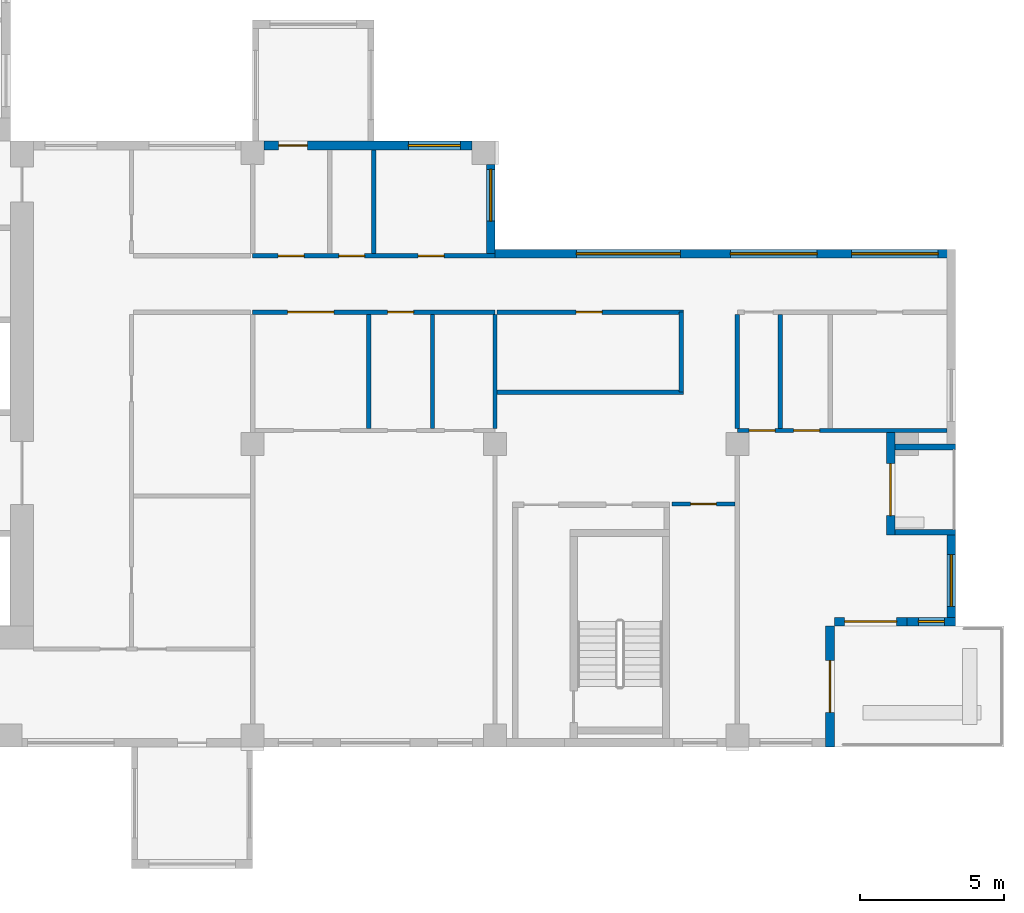
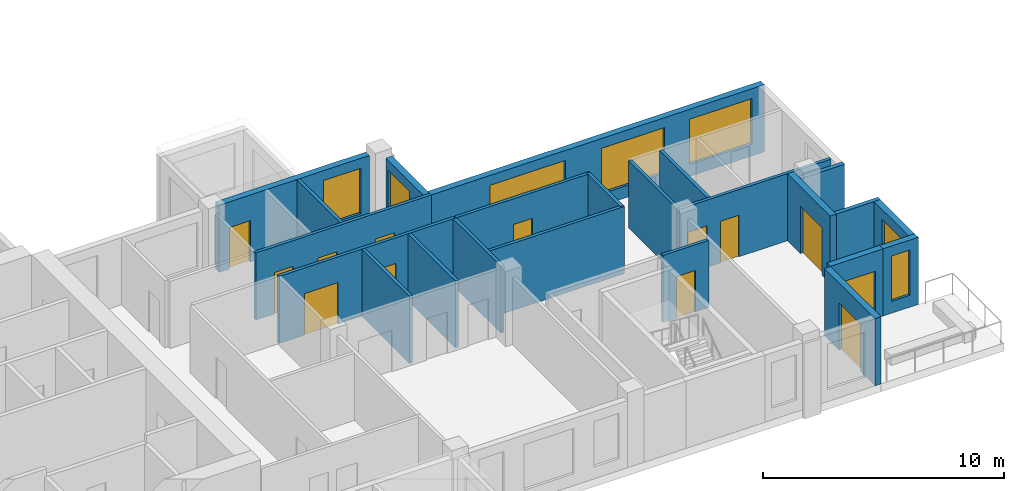
# One storey, part 5 of 12: 23 walls, 13 doors, 7 windows, 20 openings.
"""IFC4 building model written with IfcOpenShell, lengths in metres."""

from ifc_helpers import new_model, si_unit, direction, frame, frame_2d, origin, place, context, subcontext, project, spatial, rectangle, extrude, source, transform, mapped, material, layer, layer_set, type_object, element, fill, save


model = new_model("IFC4")

# Units and contexts
model_context = context("Model", 3, precision=1e-05, world=origin(), true_north=direction((0.0, 1.0)))
body_context = subcontext(model_context, "Body", "Model", "MODEL_VIEW")
ifc_project = project(units=[si_unit("LENGTHUNIT", "METRE"), si_unit("AREAUNIT", "SQUARE_METRE"), si_unit("VOLUMEUNIT", "CUBIC_METRE"), si_unit("PLANEANGLEUNIT", "RADIAN"), si_unit("MASSUNIT", "GRAM", prefix="KILO")], contexts=[model_context])

# Site, building, storey
site_placement = place(None, origin())
site = spatial("IfcSite", under=ifc_project, at=site_placement, CompositionType="ELEMENT")
building_placement = place(site_placement, origin())
building = spatial("IfcBuilding", under=site, at=building_placement, Name="Aurelian Terraces", CompositionType="ELEMENT")
storey_placement = place(building_placement, frame((0.0, 0.0, 234.8)))
storey = spatial("IfcBuildingStorey", under=building, at=storey_placement, Name="L53", CompositionType="ELEMENT", Elevation=234.8)

# Wall, opening, door
ifc_material_1 = material(Name="Terracotta rainscreen cladding", Category="masonry")
ifc_layer_1 = layer(ifc_material_1, 0.3)
ifc_layer_set_1 = layer_set([ifc_layer_1], Name="EW-300")
wall_type_1 = type_object("IfcWallType", Name="EW-300", PredefinedType="STANDARD", material=ifc_layer_set_1)
wall_1_placement = place(storey_placement, frame((51.51, 7.35, 0.0), z_axis=(0.0, 0.0, 1.0), x_axis=(0.0, 1.0, 0.0)))
wall_1 = element("IfcWall", 1, at=wall_1_placement, inside=storey, type_object=wall_type_1, Name="Loggia wall L53 F04.11", PredefinedType="STANDARD", context=body_context, shape_type="SweptSolid", body=[
    extrude(rectangle(XDim=3.55, YDim=0.3, at=frame_2d((1.775, 0.0))), origin(), (0.0, 0.0, 1.0), 3.4),
])
shared_shape_1 = source(origin(), body_context, "Body", "SweptSolid", [
    extrude(rectangle(XDim=1.8, YDim=2.4, at=frame_2d((0.9, 1.2))), frame((0.0, 0.16, 0.0), z_axis=(0.0, -1.0, 0.0), x_axis=(1.0, 0.0, 0.0)), (0.0, 0.0, 1.0), 0.32),
])
opening_1_placement = place(wall_1_placement, frame((0.675, 0.0, 0.0)))
opening_1 = element("IfcOpeningElement", 2, at=opening_1_placement, cuts=wall_1, Name="Opening 85303", PredefinedType="OPENING", context=body_context, shape_type="MappedRepresentation", body=[
    mapped(shared_shape_1, transform((0.0, 0.0, 0.0), scale=1.0)),
])
ifc_material_2 = material(Name="Clear glazing", Category="glass")
door_type_1 = type_object("IfcDoorType", Name="BD-1800x2400", OperationType="SLIDING_TO_LEFT", PredefinedType="DOOR", material=ifc_material_2)
shared_shape_2 = source(origin(), body_context, "Body", "SweptSolid", [
    extrude(rectangle(XDim=1.8, YDim=2.4, at=frame_2d((0.9, 1.2))), frame((0.0, 0.025, 0.0), z_axis=(0.0, -1.0, 0.0), x_axis=(1.0, 0.0, 0.0)), (0.0, 0.0, 1.0), 0.05),
])
door_1_placement = place(opening_1_placement, origin())
door_1 = element("IfcDoor", 3, at=door_1_placement, inside=storey, type_object=door_type_1, Name="Balcony door L53 F04.11", OperationType="SLIDING_TO_LEFT", OverallHeight=2.4, OverallWidth=1.8, PredefinedType="DOOR", context=body_context, shape_type="MappedRepresentation", body=[
    mapped(shared_shape_2, transform((0.0, 0.0, 0.0), scale=1.0)),
])
fill(opening_1, door_1)

shared_shape_3 = source(origin(), body_context, "Body", "SweptSolid", [
    extrude(rectangle(XDim=4.2, YDim=0.3, at=frame_2d((2.1, 0.0))), origin(), (0.0, 0.0, 1.0), 3.4),
])
wall_2_placement = place(storey_placement, frame((49.41, 0.0, 0.0), z_axis=(0.0, 0.0, 1.0), x_axis=(0.0, 1.0, 0.0)))
wall_2 = element("IfcWall", 4, at=wall_2_placement, inside=storey, type_object=wall_type_1, Name="External wall L53 F02.7", PredefinedType="STANDARD", context=body_context, shape_type="MappedRepresentation", body=[
    mapped(shared_shape_3, transform((0.0, 0.0, 0.0), scale=1.0)),
])
opening_2_placement = place(wall_2_placement, frame((1.2, 0.0, 0.0)))
opening_2 = element("IfcOpeningElement", 5, at=opening_2_placement, cuts=wall_2, Name="Opening 85301", PredefinedType="OPENING", context=body_context, shape_type="MappedRepresentation", body=[
    mapped(shared_shape_1, transform((0.0, 0.0, 0.0), scale=1.0)),
])
door_2_placement = place(opening_2_placement, origin())
door_2 = element("IfcDoor", 6, at=door_2_placement, inside=storey, type_object=door_type_1, Name="Terrace door L53 L53-F02-07.1", OperationType="SLIDING_TO_LEFT", OverallHeight=2.4, OverallWidth=1.8, PredefinedType="DOOR", context=body_context, shape_type="MappedRepresentation", body=[
    mapped(shared_shape_2, transform((0.0, 0.0, 0.0), scale=1.0)),
])
fill(opening_2, door_2)

shared_shape_4 = source(origin(), body_context, "Body", "SweptSolid", [
    extrude(rectangle(XDim=2.52, YDim=0.3, at=frame_2d((1.26, 0.0))), origin(), (0.0, 0.0, 1.0), 3.4),
])
wall_3_placement = place(storey_placement, frame((49.56, 4.35, 0.0), z_axis=(0.0, 0.0, 1.0), x_axis=(1.0, 0.0, 0.0)))
wall_3 = element("IfcWall", 7, at=wall_3_placement, inside=storey, type_object=wall_type_1, Name="External wall L53 F03.8", PredefinedType="STANDARD", context=body_context, shape_type="MappedRepresentation", body=[
    mapped(shared_shape_4, transform((0.0, 0.0, 0.0), scale=1.0)),
])
opening_3_placement = place(wall_3_placement, frame((0.36, 0.0, 0.0)))
opening_3 = element("IfcOpeningElement", 8, at=opening_3_placement, cuts=wall_3, Name="Opening 85302", PredefinedType="OPENING", context=body_context, shape_type="MappedRepresentation", body=[
    mapped(shared_shape_1, transform((0.0, 0.0, 0.0), scale=1.0)),
])
door_3_placement = place(opening_3_placement, origin())
door_3 = element("IfcDoor", 9, at=door_3_placement, inside=storey, type_object=door_type_1, Name="Terrace door L53 L53-F03-08.1", OperationType="SLIDING_TO_LEFT", OverallHeight=2.4, OverallWidth=1.8, PredefinedType="DOOR", context=body_context, shape_type="MappedRepresentation", body=[
    mapped(shared_shape_2, transform((0.0, 0.0, 0.0), scale=1.0)),
])
fill(opening_3, door_3)

# Wall, opening, window
shared_shape_5 = source(origin(), body_context, "Body", "SweptSolid", [
    extrude(rectangle(XDim=1.68, YDim=0.3, at=frame_2d((0.84, 0.0))), origin(), (0.0, 0.0, 1.0), 3.4),
])
wall_4_placement = place(storey_placement, frame((52.08, 4.35, 0.0), z_axis=(0.0, 0.0, 1.0), x_axis=(1.0, 0.0, 0.0)))
wall_4 = element("IfcWall", 10, at=wall_4_placement, inside=storey, type_object=wall_type_1, Name="External wall L53 F03.9", PredefinedType="STANDARD", context=body_context, shape_type="MappedRepresentation", body=[
    mapped(shared_shape_5, transform((0.0, 0.0, 0.0), scale=1.0)),
])
shared_shape_6 = source(origin(), body_context, "Body", "SweptSolid", [
    extrude(rectangle(XDim=0.9, YDim=2.3, at=frame_2d((0.45, 1.15))), frame((0.0, 0.16, 0.0), z_axis=(0.0, -1.0, 0.0), x_axis=(1.0, 0.0, 0.0)), (0.0, 0.0, 1.0), 0.32),
])
opening_4_placement = place(wall_4_placement, frame((0.39, 0.0, 0.6)))
opening_4 = element("IfcOpeningElement", 11, at=opening_4_placement, cuts=wall_4, Name="Opening W0923", PredefinedType="OPENING", context=body_context, shape_type="MappedRepresentation", body=[
    mapped(shared_shape_6, transform((0.0, 0.0, 0.0), scale=1.0)),
])
window_type_1 = type_object("IfcWindowType", Name="W-900x2300", PartitioningType="SINGLE_PANEL", PredefinedType="WINDOW", material=ifc_material_2)
shared_shape_7 = source(origin(), body_context, "Body", "SweptSolid", [
    extrude(rectangle(XDim=0.9, YDim=2.3, at=frame_2d((0.45, 1.15))), frame((0.0, 0.03, 0.0), z_axis=(0.0, -1.0, 0.0), x_axis=(1.0, 0.0, 0.0)), (0.0, 0.0, 1.0), 0.06),
])
window_1_placement = place(opening_4_placement, origin())
window_1 = element("IfcWindow", 12, at=window_1_placement, inside=storey, type_object=window_type_1, Name="Window L53 L53-F03-09-P0", OverallHeight=2.3, OverallWidth=0.9, PartitioningType="SINGLE_PANEL", PredefinedType="WINDOW", context=body_context, shape_type="MappedRepresentation", body=[
    mapped(shared_shape_7, transform((0.0, 0.0, 0.0), scale=1.0)),
])
fill(opening_4, window_1)

shared_shape_8 = source(origin(), body_context, "Body", "SweptSolid", [
    extrude(rectangle(XDim=3.15, YDim=0.3, at=frame_2d((1.575, 0.0))), origin(), (0.0, 0.0, 1.0), 3.4),
])
wall_5_placement = place(storey_placement, frame((53.61, 4.2, 0.0), z_axis=(0.0, 0.0, 1.0), x_axis=(0.0, 1.0, 0.0)))
wall_5 = element("IfcWall", 13, at=wall_5_placement, inside=storey, type_object=wall_type_1, Name="External wall L53 F04.10", PredefinedType="STANDARD", context=body_context, shape_type="MappedRepresentation", body=[
    mapped(shared_shape_8, transform((0.0, 0.0, 0.0), scale=1.0)),
])
shared_shape_9 = source(origin(), body_context, "Body", "SweptSolid", [
    extrude(rectangle(XDim=1.8, YDim=2.3, at=frame_2d((0.9, 1.15))), frame((0.0, 0.16, 0.0), z_axis=(0.0, -1.0, 0.0), x_axis=(1.0, 0.0, 0.0)), (0.0, 0.0, 1.0), 0.32),
])
opening_5_placement = place(wall_5_placement, frame((0.675, 0.0, 0.6)))
opening_5 = element("IfcOpeningElement", 14, at=opening_5_placement, cuts=wall_5, Name="Opening W1823", PredefinedType="OPENING", context=body_context, shape_type="MappedRepresentation", body=[
    mapped(shared_shape_9, transform((0.0, 0.0, 0.0), scale=1.0)),
])
window_type_2 = type_object("IfcWindowType", Name="W-1800x2300", PartitioningType="SINGLE_PANEL", PredefinedType="WINDOW", material=ifc_material_2)
shared_shape_10 = source(origin(), body_context, "Body", "SweptSolid", [
    extrude(rectangle(XDim=1.8, YDim=2.3, at=frame_2d((0.9, 1.15))), frame((0.0, 0.03, 0.0), z_axis=(0.0, -1.0, 0.0), x_axis=(1.0, 0.0, 0.0)), (0.0, 0.0, 1.0), 0.06),
])
window_2_placement = place(opening_5_placement, origin())
window_2 = element("IfcWindow", 15, at=window_2_placement, inside=storey, type_object=window_type_2, Name="Window L53 L53-F04-10-0", OverallHeight=2.3, OverallWidth=1.8, PartitioningType="SINGLE_PANEL", PredefinedType="WINDOW", context=body_context, shape_type="MappedRepresentation", body=[
    mapped(shared_shape_10, transform((0.0, 0.0, 0.0), scale=1.0)),
])
fill(opening_5, window_2)

# Walls
ifc_layer_2 = layer(ifc_material_1, 0.2)
ifc_layer_set_2 = layer_set([ifc_layer_2], Name="EW-200")
wall_type_2 = type_object("IfcWallType", Name="EW-200", PredefinedType="STANDARD", material=ifc_layer_set_2)
shared_shape_11 = source(origin(), body_context, "Body", "SweptSolid", [
    extrude(rectangle(XDim=2.1, YDim=0.2, at=frame_2d((1.05, 0.0))), origin(), (0.0, 0.0, 1.0), 3.4),
])
for number, where, z_axis, x_axis, name in (
    (16, (53.76, 7.45, 0.0), (0.0, 0.0, 1.0), (-1.0, 0.0, 0.0), "Loggia return L53 F04.11.1"),
    (17, (53.76, 10.4, 0.0), (0.0, 0.0, 1.0), (-1.0, 0.0, 0.0), "Loggia return L53 F04.11.2"),
):
    element("IfcWall", number, at=place(storey_placement, frame(where, z_axis=z_axis, x_axis=x_axis)), inside=storey, type_object=wall_type_2, Name=name, PredefinedType="STANDARD", context=body_context, shape_type="MappedRepresentation", body=[
        mapped(shared_shape_11, transform((0.0, 0.0, 0.0), scale=1.0)),
    ])

# Wall, openings, windows
shared_shape_12 = source(origin(), body_context, "Body", "SweptSolid", [
    extrude(rectangle(XDim=15.96, YDim=0.3, at=frame_2d((7.98, 0.0))), origin(), (0.0, 0.0, 1.0), 3.4),
])
wall_6_placement = place(storey_placement, frame((53.76, 17.1, 0.0), z_axis=(0.0, 0.0, 1.0), x_axis=(-1.0, 0.0, 0.0)))
wall_6 = element("IfcWall", 18, at=wall_6_placement, inside=storey, type_object=wall_type_1, Name="External wall L53 F05.13", PredefinedType="STANDARD", context=body_context, shape_type="MappedRepresentation", body=[
    mapped(shared_shape_12, transform((0.0, 0.0, 0.0), scale=1.0)),
])
shared_shape_13 = source(origin(), body_context, "Body", "SweptSolid", [
    extrude(rectangle(XDim=3.0, YDim=2.3, at=frame_2d((1.5, 1.15))), frame((0.0, 0.16, 0.0), z_axis=(0.0, -1.0, 0.0), x_axis=(1.0, 0.0, 0.0)), (0.0, 0.0, 1.0), 0.32),
])
opening_6_placement = place(wall_6_placement, frame((0.6, 0.0, 0.6)))
opening_6 = element("IfcOpeningElement", 19, at=opening_6_placement, cuts=wall_6, Name="Opening W3023", PredefinedType="OPENING", context=body_context, shape_type="MappedRepresentation", body=[
    mapped(shared_shape_13, transform((0.0, 0.0, 0.0), scale=1.0)),
])
opening_7_placement = place(wall_6_placement, frame((4.8, 0.0, 0.6)))
opening_7 = element("IfcOpeningElement", 20, at=opening_7_placement, cuts=wall_6, Name="Opening W3023", PredefinedType="OPENING", context=body_context, shape_type="MappedRepresentation", body=[
    mapped(shared_shape_13, transform((0.0, 0.0, 0.0), scale=1.0)),
])
shared_shape_14 = source(origin(), body_context, "Body", "SweptSolid", [
    extrude(rectangle(XDim=3.6, YDim=2.3, at=frame_2d((1.8, 1.15))), frame((0.0, 0.16, 0.0), z_axis=(0.0, -1.0, 0.0), x_axis=(1.0, 0.0, 0.0)), (0.0, 0.0, 1.0), 0.32),
])
opening_8_placement = place(wall_6_placement, frame((9.54, 0.0, 0.6)))
opening_8 = element("IfcOpeningElement", 21, at=opening_8_placement, cuts=wall_6, Name="Opening W3623", PredefinedType="OPENING", context=body_context, shape_type="MappedRepresentation", body=[
    mapped(shared_shape_14, transform((0.0, 0.0, 0.0), scale=1.0)),
])
window_type_3 = type_object("IfcWindowType", Name="W-3600x2300", PartitioningType="SINGLE_PANEL", PredefinedType="WINDOW", material=ifc_material_2)
shared_shape_15 = source(origin(), body_context, "Body", "SweptSolid", [
    extrude(rectangle(XDim=3.6, YDim=2.3, at=frame_2d((1.8, 1.15))), frame((0.0, 0.03, 0.0), z_axis=(0.0, -1.0, 0.0), x_axis=(1.0, 0.0, 0.0)), (0.0, 0.0, 1.0), 0.06),
])
window_3_placement = place(opening_8_placement, origin())
window_3 = element("IfcWindow", 22, at=window_3_placement, inside=storey, type_object=window_type_3, Name="Window L53 L53-F05-13-2", OverallHeight=2.3, OverallWidth=3.6, PartitioningType="SINGLE_PANEL", PredefinedType="WINDOW", context=body_context, shape_type="MappedRepresentation", body=[
    mapped(shared_shape_15, transform((0.0, 0.0, 0.0), scale=1.0)),
])
fill(opening_8, window_3)
window_type_4 = type_object("IfcWindowType", Name="W-3000x2300", PartitioningType="SINGLE_PANEL", PredefinedType="WINDOW", material=ifc_material_2)
shared_shape_16 = source(origin(), body_context, "Body", "SweptSolid", [
    extrude(rectangle(XDim=3.0, YDim=2.3, at=frame_2d((1.5, 1.15))), frame((0.0, 0.03, 0.0), z_axis=(0.0, -1.0, 0.0), x_axis=(1.0, 0.0, 0.0)), (0.0, 0.0, 1.0), 0.06),
])
window_4_placement = place(opening_6_placement, origin())
window_4 = element("IfcWindow", 23, at=window_4_placement, inside=storey, type_object=window_type_4, Name="Window L53 L53-F05-13-0", OverallHeight=2.3, OverallWidth=3.0, PartitioningType="SINGLE_PANEL", PredefinedType="WINDOW", context=body_context, shape_type="MappedRepresentation", body=[
    mapped(shared_shape_16, transform((0.0, 0.0, 0.0), scale=1.0)),
])
fill(opening_6, window_4)
window_5_placement = place(opening_7_placement, origin())
window_5 = element("IfcWindow", 24, at=window_5_placement, inside=storey, type_object=window_type_4, Name="Window L53 L53-F05-13-1", OverallHeight=2.3, OverallWidth=3.0, PartitioningType="SINGLE_PANEL", PredefinedType="WINDOW", context=body_context, shape_type="MappedRepresentation", body=[
    mapped(shared_shape_16, transform((0.0, 0.0, 0.0), scale=1.0)),
])
fill(opening_7, window_5)

# Wall, openings, window, door
shared_shape_17 = source(origin(), body_context, "Body", "SweptSolid", [
    extrude(rectangle(XDim=7.2, YDim=0.3, at=frame_2d((3.6, 0.0))), origin(), (0.0, 0.0, 1.0), 3.4),
])
wall_7_placement = place(storey_placement, frame((37.0, 20.85, 0.0), z_axis=(0.0, 0.0, 1.0), x_axis=(-1.0, 0.0, 0.0)))
wall_7 = element("IfcWall", 25, at=wall_7_placement, inside=storey, type_object=wall_type_1, Name="External wall L53 F07.15", PredefinedType="STANDARD", context=body_context, shape_type="MappedRepresentation", body=[
    mapped(shared_shape_17, transform((0.0, 0.0, 0.0), scale=1.0)),
])
opening_9_placement = place(wall_7_placement, frame((0.4, 0.0, 0.6)))
opening_9 = element("IfcOpeningElement", 26, at=opening_9_placement, cuts=wall_7, Name="Opening W1823", PredefinedType="OPENING", context=body_context, shape_type="MappedRepresentation", body=[
    mapped(shared_shape_9, transform((0.0, 0.0, 0.0), scale=1.0)),
])
shared_shape_18 = source(origin(), body_context, "Body", "SweptSolid", [
    extrude(rectangle(XDim=1.0, YDim=2.1, at=frame_2d((0.5, 1.05))), frame((0.0, 0.16, 0.0), z_axis=(0.0, -1.0, 0.0), x_axis=(1.0, 0.0, 0.0)), (0.0, 0.0, 1.0), 0.32),
])
opening_10_placement = place(wall_7_placement, frame((5.7, 0.0, 0.0)))
opening_10 = element("IfcOpeningElement", 27, at=opening_10_placement, cuts=wall_7, Name="Opening 853003", PredefinedType="OPENING", context=body_context, shape_type="MappedRepresentation", body=[
    mapped(shared_shape_18, transform((0.0, 0.0, 0.0), scale=1.0)),
])
window_6_placement = place(opening_9_placement, origin())
window_6 = element("IfcWindow", 28, at=window_6_placement, inside=storey, type_object=window_type_2, Name="Window L53 L53-F07-15-0", OverallHeight=2.3, OverallWidth=1.8, PartitioningType="SINGLE_PANEL", PredefinedType="WINDOW", context=body_context, shape_type="MappedRepresentation", body=[
    mapped(shared_shape_10, transform((0.0, 0.0, 0.0), scale=1.0)),
])
fill(opening_9, window_6)
ifc_material_3 = material(Name="Timber door leaf", Category="wood")
door_type_2 = type_object("IfcDoorType", Name="Room door 1000x2100 left", OperationType="SINGLE_SWING_LEFT", PredefinedType="DOOR", material=ifc_material_3)
shared_shape_19 = source(origin(), body_context, "Body", "SweptSolid", [
    extrude(rectangle(XDim=1.0, YDim=2.1, at=frame_2d((0.5, 1.05))), frame((0.0, 0.025, 0.0), z_axis=(0.0, -1.0, 0.0), x_axis=(1.0, 0.0, 0.0)), (0.0, 0.0, 1.0), 0.05),
])
door_4_placement = place(opening_10_placement, origin())
door_4 = element("IfcDoor", 29, at=door_4_placement, inside=storey, type_object=door_type_2, Name="Door 853003", OperationType="SINGLE_SWING_LEFT", OverallHeight=2.1, OverallWidth=1.0, PredefinedType="DOOR", context=body_context, shape_type="MappedRepresentation", body=[
    mapped(shared_shape_19, transform((0.0, 0.0, 0.0), scale=1.0)),
])
fill(opening_10, door_4)

# Wall, opening, window
shared_shape_20 = source(origin(), body_context, "Body", "SweptSolid", [
    extrude(rectangle(XDim=3.1, YDim=0.3, at=frame_2d((1.55, 0.0))), origin(), (0.0, 0.0, 1.0), 3.4),
])
wall_8_placement = place(storey_placement, frame((37.65, 17.1, 0.0), z_axis=(0.0, 0.0, 1.0), x_axis=(0.0, 1.0, 0.0)))
wall_8 = element("IfcWall", 30, at=wall_8_placement, inside=storey, type_object=wall_type_1, Name="External wall L53 F06.14", PredefinedType="STANDARD", context=body_context, shape_type="MappedRepresentation", body=[
    mapped(shared_shape_20, transform((0.0, 0.0, 0.0), scale=1.0)),
])
opening_11_placement = place(wall_8_placement, frame((1.125, 0.0, 0.6)))
opening_11 = element("IfcOpeningElement", 31, at=opening_11_placement, cuts=wall_8, Name="Opening W1823", PredefinedType="OPENING", context=body_context, shape_type="MappedRepresentation", body=[
    mapped(shared_shape_9, transform((0.0, 0.0, 0.0), scale=1.0)),
])
window_7_placement = place(opening_11_placement, origin())
window_7 = element("IfcWindow", 32, at=window_7_placement, inside=storey, type_object=window_type_2, Name="Window L53 L53-F06-14-0", OverallHeight=2.3, OverallWidth=1.8, PartitioningType="SINGLE_PANEL", PredefinedType="WINDOW", context=body_context, shape_type="MappedRepresentation", body=[
    mapped(shared_shape_10, transform((0.0, 0.0, 0.0), scale=1.0)),
])
fill(opening_11, window_7)

# Wall
ifc_material_4 = material(Name="Gypsum board on steel studs", Category="steel")
ifc_layer_3 = layer(ifc_material_4, 0.15)
ifc_layer_set_3 = layer_set([ifc_layer_3], Name="Partition 150")
wall_type_3 = type_object("IfcWallType", Name="Partition 150", PredefinedType="PARTITIONING", material=ifc_layer_set_3)
shared_shape_21 = source(origin(), body_context, "Body", "SweptSolid", [
    extrude(rectangle(XDim=6.45, YDim=0.15, at=frame_2d((3.225, 0.0))), origin(), (0.0, 0.0, 1.0), 3.4),
])
wall_9_placement = place(storey_placement, frame((37.875, 12.3, 0.0), z_axis=(0.0, 0.0, 1.0), x_axis=(1.0, 0.0, 0.0)))
element("IfcWall", 33, at=wall_9_placement, inside=storey, type_object=wall_type_3, Name="Partition", PredefinedType="PARTITIONING", context=body_context, shape_type="MappedRepresentation", body=[
    mapped(shared_shape_21, transform((0.0, 0.0, 0.0), scale=1.0)),
])

# Wall, opening, door
ifc_layer_4 = layer(ifc_material_4, 0.15)
ifc_layer_set_4 = layer_set([ifc_layer_4], Name="Fire partition 150")
wall_type_4 = type_object("IfcWallType", Name="Fire partition 150", PredefinedType="PARTITIONING", material=ifc_layer_set_4)
wall_10_placement = place(storey_placement, frame((44.325, 15.075, 0.0), z_axis=(0.0, 0.0, 1.0), x_axis=(-1.0, 0.0, 0.0)))
wall_10 = element("IfcWall", 34, at=wall_10_placement, inside=storey, type_object=wall_type_4, Name="Corridor wall", PredefinedType="PARTITIONING", context=body_context, shape_type="MappedRepresentation", body=[
    mapped(shared_shape_21, transform((0.0, 0.0, 0.0), scale=1.0)),
])
shared_shape_22 = source(origin(), body_context, "Body", "SweptSolid", [
    extrude(rectangle(XDim=0.9, YDim=2.1, at=frame_2d((0.45, 1.05))), frame((0.0, 0.085, 0.0), z_axis=(0.0, -1.0, 0.0), x_axis=(1.0, 0.0, 0.0)), (0.0, 0.0, 1.0), 0.17),
])
opening_12_placement = place(wall_10_placement, frame((2.8125, 0.0, 0.0)))
opening_12 = element("IfcOpeningElement", 35, at=opening_12_placement, cuts=wall_10, Name="Opening 753005", PredefinedType="OPENING", context=body_context, shape_type="MappedRepresentation", body=[
    mapped(shared_shape_22, transform((0.0, 0.0, 0.0), scale=1.0)),
])
door_type_3 = type_object("IfcDoorType", Name="Room door 900x2100 right", OperationType="SINGLE_SWING_RIGHT", PredefinedType="DOOR", material=ifc_material_3)
shared_shape_23 = source(origin(), body_context, "Body", "SweptSolid", [
    extrude(rectangle(XDim=0.9, YDim=2.1, at=frame_2d((0.45, 1.05))), frame((0.0, 0.025, 0.0), z_axis=(0.0, -1.0, 0.0), x_axis=(1.0, 0.0, 0.0)), (0.0, 0.0, 1.0), 0.05),
])
door_5_placement = place(opening_12_placement, origin())
door_5 = element("IfcDoor", 36, at=door_5_placement, inside=storey, type_object=door_type_3, Name="Door 753005", OperationType="SINGLE_SWING_RIGHT", OverallHeight=2.1, OverallWidth=0.9, PredefinedType="DOOR", context=body_context, shape_type="MappedRepresentation", body=[
    mapped(shared_shape_23, transform((0.0, 0.0, 0.0), scale=1.0)),
])
fill(opening_12, door_5)

# Wall
shared_shape_24 = source(origin(), body_context, "Body", "SweptSolid", [
    extrude(rectangle(XDim=3.6, YDim=0.15, at=frame_2d((1.8, 0.0))), origin(), (0.0, 0.0, 1.0), 3.4),
])
wall_11_placement = place(storey_placement, frame((33.6, 17.1, 0.0), z_axis=(0.0, 0.0, 1.0), x_axis=(0.0, 1.0, 0.0)))
element("IfcWall", 37, at=wall_11_placement, inside=storey, type_object=wall_type_4, Name="Party wall", PredefinedType="PARTITIONING", context=body_context, shape_type="MappedRepresentation", body=[
    mapped(shared_shape_24, transform((0.0, 0.0, 0.0), scale=1.0)),
])

# Wall, openings, doors
shared_shape_25 = source(origin(), body_context, "Body", "SweptSolid", [
    extrude(rectangle(XDim=8.4, YDim=0.15, at=frame_2d((4.2, 0.0))), origin(), (0.0, 0.0, 1.0), 3.4),
])
wall_12_placement = place(storey_placement, frame((37.8, 15.075, 0.0), z_axis=(0.0, 0.0, 1.0), x_axis=(-1.0, 0.0, 0.0)))
wall_12 = element("IfcWall", 38, at=wall_12_placement, inside=storey, type_object=wall_type_4, Name="Corridor wall", PredefinedType="PARTITIONING", context=body_context, shape_type="MappedRepresentation", body=[
    mapped(shared_shape_25, transform((0.0, 0.0, 0.0), scale=1.0)),
])
shared_shape_26 = source(origin(), body_context, "Body", "SweptSolid", [
    extrude(rectangle(XDim=1.6, YDim=2.1, at=frame_2d((0.8, 1.05))), frame((0.0, 0.085, 0.0), z_axis=(0.0, -1.0, 0.0), x_axis=(1.0, 0.0, 0.0)), (0.0, 0.0, 1.0), 0.17),
])
opening_13_placement = place(wall_12_placement, frame((5.5888, 0.0, 0.0)))
opening_13 = element("IfcOpeningElement", 39, at=opening_13_placement, cuts=wall_12, Name="Opening 753007", PredefinedType="OPENING", context=body_context, shape_type="MappedRepresentation", body=[
    mapped(shared_shape_26, transform((0.0, 0.0, 0.0), scale=1.0)),
])
opening_14_placement = place(wall_12_placement, frame((2.8224, 0.0, 0.0)))
opening_14 = element("IfcOpeningElement", 40, at=opening_14_placement, cuts=wall_12, Name="Opening 753011", PredefinedType="OPENING", context=body_context, shape_type="MappedRepresentation", body=[
    mapped(shared_shape_22, transform((0.0, 0.0, 0.0), scale=1.0)),
])
ifc_material_5 = material(Name="Steel door leaf", Category="steel")
door_type_4 = type_object("IfcDoorType", Name="Entrance fire door 900x2100 left", OperationType="SINGLE_SWING_LEFT", PredefinedType="DOOR", material=ifc_material_5)
door_6_placement = place(opening_14_placement, origin())
door_6 = element("IfcDoor", 41, at=door_6_placement, inside=storey, type_object=door_type_4, Name="Door 753011", OperationType="SINGLE_SWING_LEFT", OverallHeight=2.1, OverallWidth=0.9, PredefinedType="DOOR", context=body_context, shape_type="MappedRepresentation", body=[
    mapped(shared_shape_23, transform((0.0, 0.0, 0.0), scale=1.0)),
])
fill(opening_14, door_6)
door_type_5 = type_object("IfcDoorType", Name="Entrance fire door 1600x2100 left", OperationType="SINGLE_SWING_LEFT", PredefinedType="DOOR", material=ifc_material_5)
shared_shape_27 = source(origin(), body_context, "Body", "SweptSolid", [
    extrude(rectangle(XDim=1.6, YDim=2.1, at=frame_2d((0.8, 1.05))), frame((0.0, 0.025, 0.0), z_axis=(0.0, -1.0, 0.0), x_axis=(1.0, 0.0, 0.0)), (0.0, 0.0, 1.0), 0.05),
])
door_7_placement = place(opening_13_placement, origin())
door_7 = element("IfcDoor", 42, at=door_7_placement, inside=storey, type_object=door_type_5, Name="Door 753007", OperationType="SINGLE_SWING_LEFT", OverallHeight=2.1, OverallWidth=1.6, PredefinedType="DOOR", context=body_context, shape_type="MappedRepresentation", body=[
    mapped(shared_shape_27, transform((0.0, 0.0, 0.0), scale=1.0)),
])
fill(opening_13, door_7)

wall_13_placement = place(storey_placement, frame((29.4, 17.025, 0.0), z_axis=(0.0, 0.0, 1.0), x_axis=(1.0, 0.0, 0.0)))
wall_13 = element("IfcWall", 43, at=wall_13_placement, inside=storey, type_object=wall_type_4, Name="Corridor wall", PredefinedType="PARTITIONING", context=body_context, shape_type="MappedRepresentation", body=[
    mapped(shared_shape_25, transform((0.0, 0.0, 0.0), scale=1.0)),
])
opening_15_placement = place(wall_13_placement, frame((0.8835, 0.0, 0.0)))
opening_15 = element("IfcOpeningElement", 44, at=opening_15_placement, cuts=wall_13, Name="Opening 753016", PredefinedType="OPENING", context=body_context, shape_type="MappedRepresentation", body=[
    mapped(shared_shape_22, transform((0.0, 0.0, 0.0), scale=1.0)),
])
opening_16_placement = place(wall_13_placement, frame((2.9835, 0.0, 0.0)))
opening_16 = element("IfcOpeningElement", 45, at=opening_16_placement, cuts=wall_13, Name="Opening 753017", PredefinedType="OPENING", context=body_context, shape_type="MappedRepresentation", body=[
    mapped(shared_shape_22, transform((0.0, 0.0, 0.0), scale=1.0)),
])
opening_17_placement = place(wall_13_placement, frame((5.7375, 0.0, 0.0)))
opening_17 = element("IfcOpeningElement", 46, at=opening_17_placement, cuts=wall_13, Name="Opening 753031", PredefinedType="OPENING", context=body_context, shape_type="MappedRepresentation", body=[
    mapped(shared_shape_22, transform((0.0, 0.0, 0.0), scale=1.0)),
])
door_8_placement = place(opening_15_placement, origin())
door_8 = element("IfcDoor", 47, at=door_8_placement, inside=storey, type_object=door_type_4, Name="Door 753016", OperationType="SINGLE_SWING_LEFT", OverallHeight=2.1, OverallWidth=0.9, PredefinedType="DOOR", context=body_context, shape_type="MappedRepresentation", body=[
    mapped(shared_shape_23, transform((0.0, 0.0, 0.0), scale=1.0)),
])
fill(opening_15, door_8)
door_type_6 = type_object("IfcDoorType", Name="Entrance fire door 900x2100 right", OperationType="SINGLE_SWING_RIGHT", PredefinedType="DOOR", material=ifc_material_5)
door_9_placement = place(opening_16_placement, origin())
door_9 = element("IfcDoor", 48, at=door_9_placement, inside=storey, type_object=door_type_6, Name="Door 753017", OperationType="SINGLE_SWING_RIGHT", OverallHeight=2.1, OverallWidth=0.9, PredefinedType="DOOR", context=body_context, shape_type="MappedRepresentation", body=[
    mapped(shared_shape_23, transform((0.0, 0.0, 0.0), scale=1.0)),
])
fill(opening_16, door_9)
door_type_7 = type_object("IfcDoorType", Name="Room door 900x2100 left", OperationType="SINGLE_SWING_LEFT", PredefinedType="DOOR", material=ifc_material_3)
door_10_placement = place(opening_17_placement, origin())
door_10 = element("IfcDoor", 49, at=door_10_placement, inside=storey, type_object=door_type_7, Name="Door 753031", OperationType="SINGLE_SWING_LEFT", OverallHeight=2.1, OverallWidth=0.9, PredefinedType="DOOR", context=body_context, shape_type="MappedRepresentation", body=[
    mapped(shared_shape_23, transform((0.0, 0.0, 0.0), scale=1.0)),
])
fill(opening_17, door_10)

# Wall, opening, door
shared_shape_28 = source(origin(), body_context, "Body", "SweptSolid", [
    extrude(rectangle(XDim=2.2, YDim=0.15, at=frame_2d((1.1, 0.0))), origin(), (0.0, 0.0, 1.0), 3.4),
])
wall_14_placement = place(storey_placement, frame((46.125, 8.425, 0.0), z_axis=(0.0, 0.0, 1.0), x_axis=(-1.0, 0.0, 0.0)))
wall_14 = element("IfcWall", 50, at=wall_14_placement, inside=storey, type_object=wall_type_3, Name="Partition", PredefinedType="PARTITIONING", context=body_context, shape_type="MappedRepresentation", body=[
    mapped(shared_shape_28, transform((0.0, 0.0, 0.0), scale=1.0)),
])
opening_18_placement = place(wall_14_placement, frame((0.65, 0.0, 0.0)))
opening_18 = element("IfcOpeningElement", 51, at=opening_18_placement, cuts=wall_14, Name="Opening 753006", PredefinedType="OPENING", context=body_context, shape_type="MappedRepresentation", body=[
    mapped(shared_shape_22, transform((0.0, 0.0, 0.0), scale=1.0)),
])
door_11_placement = place(opening_18_placement, origin())
door_11 = element("IfcDoor", 52, at=door_11_placement, inside=storey, type_object=door_type_3, Name="Door 753006", OperationType="SINGLE_SWING_RIGHT", OverallHeight=2.1, OverallWidth=0.9, PredefinedType="DOOR", context=body_context, shape_type="MappedRepresentation", body=[
    mapped(shared_shape_23, transform((0.0, 0.0, 0.0), scale=1.0)),
])
fill(opening_18, door_11)

# Wall, openings, doors
shared_shape_29 = source(origin(), body_context, "Body", "SweptSolid", [
    extrude(rectangle(XDim=7.26, YDim=0.15, at=frame_2d((3.63, 0.0))), origin(), (0.0, 0.0, 1.0), 3.4),
])
wall_15_placement = place(storey_placement, frame((53.46, 10.975, 0.0), z_axis=(0.0, 0.0, 1.0), x_axis=(-1.0, 0.0, 0.0)))
wall_15 = element("IfcWall", 53, at=wall_15_placement, inside=storey, type_object=wall_type_3, Name="Partition", PredefinedType="PARTITIONING", context=body_context, shape_type="MappedRepresentation", body=[
    mapped(shared_shape_29, transform((0.0, 0.0, 0.0), scale=1.0)),
])
opening_19_placement = place(wall_15_placement, frame((5.955, 0.0, 0.0)))
opening_19 = element("IfcOpeningElement", 54, at=opening_19_placement, cuts=wall_15, Name="Opening 753013", PredefinedType="OPENING", context=body_context, shape_type="MappedRepresentation", body=[
    mapped(shared_shape_22, transform((0.0, 0.0, 0.0), scale=1.0)),
])
opening_20_placement = place(wall_15_placement, frame((4.4098, 0.0, 0.0)))
opening_20 = element("IfcOpeningElement", 55, at=opening_20_placement, cuts=wall_15, Name="Opening 753014", PredefinedType="OPENING", context=body_context, shape_type="MappedRepresentation", body=[
    mapped(shared_shape_22, transform((0.0, 0.0, 0.0), scale=1.0)),
])
door_12_placement = place(opening_19_placement, origin())
door_12 = element("IfcDoor", 56, at=door_12_placement, inside=storey, type_object=door_type_3, Name="Door 753013", OperationType="SINGLE_SWING_RIGHT", OverallHeight=2.1, OverallWidth=0.9, PredefinedType="DOOR", context=body_context, shape_type="MappedRepresentation", body=[
    mapped(shared_shape_23, transform((0.0, 0.0, 0.0), scale=1.0)),
])
fill(opening_19, door_12)
door_13_placement = place(opening_20_placement, origin())
door_13 = element("IfcDoor", 57, at=door_13_placement, inside=storey, type_object=door_type_7, Name="Door 753014", OperationType="SINGLE_SWING_LEFT", OverallHeight=2.1, OverallWidth=0.9, PredefinedType="DOOR", context=body_context, shape_type="MappedRepresentation", body=[
    mapped(shared_shape_23, transform((0.0, 0.0, 0.0), scale=1.0)),
])
fill(opening_20, door_13)

# Walls
shared_shape_30 = source(origin(), body_context, "Body", "SweptSolid", [
    extrude(rectangle(XDim=2.775, YDim=0.15, at=frame_2d((1.3875, 0.0))), origin(), (0.0, 0.0, 1.0), 3.4),
])
wall_16_placement = place(storey_placement, frame((44.25, 12.3, 0.0), z_axis=(0.0, 0.0, 1.0), x_axis=(0.0, 1.0, 0.0)))
element("IfcWall", 58, at=wall_16_placement, inside=storey, type_object=wall_type_3, Name="Partition", PredefinedType="PARTITIONING", context=body_context, shape_type="MappedRepresentation", body=[
    mapped(shared_shape_30, transform((0.0, 0.0, 0.0), scale=1.0)),
])
shared_shape_31 = source(origin(), body_context, "Body", "SweptSolid", [
    extrude(rectangle(XDim=3.95, YDim=0.15, at=frame_2d((1.975, 0.0))), origin(), (0.0, 0.0, 1.0), 3.4),
])
for number, where, z_axis, x_axis, name in (
    (59, (33.4224, 11.05, 0.0), (0.0, 0.0, 1.0), (0.0, 1.0, 0.0), "Partition"),
    (60, (35.6329, 11.05, 0.0), (0.0, 0.0, 1.0), (0.0, 1.0, 0.0), "Partition"),
):
    element("IfcWall", number, at=place(storey_placement, frame(where, z_axis=z_axis, x_axis=x_axis)), inside=storey, type_object=wall_type_3, Name=name, PredefinedType="PARTITIONING", context=body_context, shape_type="MappedRepresentation", body=[
        mapped(shared_shape_31, transform((0.0, 0.0, 0.0), scale=1.0)),
    ])
wall_17_placement = place(storey_placement, frame((37.8, 11.05, 0.0), z_axis=(0.0, 0.0, 1.0), x_axis=(0.0, 1.0, 0.0)))
element("IfcWall", 61, at=wall_17_placement, inside=storey, type_object=wall_type_4, Name="Party wall", PredefinedType="PARTITIONING", context=body_context, shape_type="MappedRepresentation", body=[
    mapped(shared_shape_31, transform((0.0, 0.0, 0.0), scale=1.0)),
])
wall_18_placement = place(storey_placement, frame((47.6845, 11.05, 0.0), z_axis=(0.0, 0.0, 1.0), x_axis=(0.0, 1.0, 0.0)))
element("IfcWall", 62, at=wall_18_placement, inside=storey, type_object=wall_type_3, Name="Partition", PredefinedType="PARTITIONING", context=body_context, shape_type="MappedRepresentation", body=[
    mapped(shared_shape_31, transform((0.0, 0.0, 0.0), scale=1.0)),
])
wall_19_placement = place(storey_placement, frame((46.2, 11.05, 0.0), z_axis=(0.0, 0.0, 1.0), x_axis=(0.0, 1.0, 0.0)))
element("IfcWall", 63, at=wall_19_placement, inside=storey, type_object=wall_type_4, Name="Party wall", PredefinedType="PARTITIONING", context=body_context, shape_type="MappedRepresentation", body=[
    mapped(shared_shape_31, transform((0.0, 0.0, 0.0), scale=1.0)),
])

save(model, "model.ifc")
